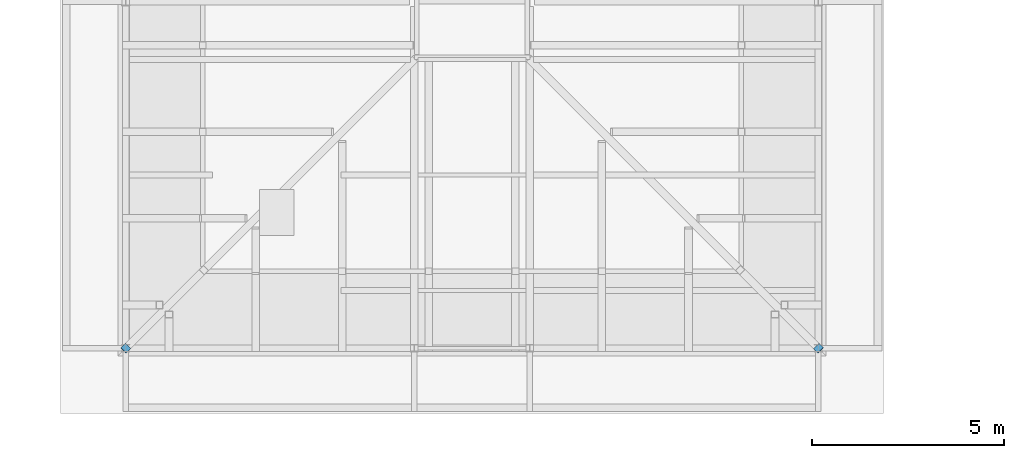
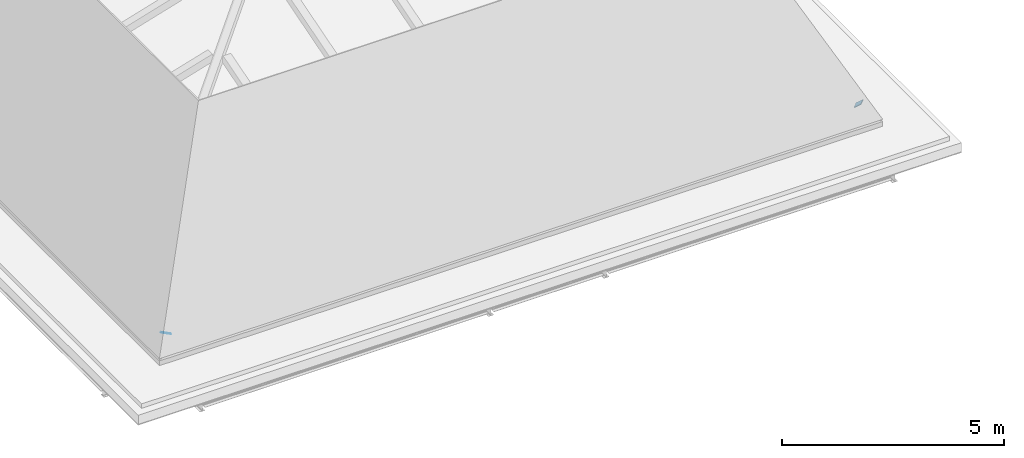
# One storey, part 22 of 29: 2 discrete accessories.
"""IFC4 building model written with IfcOpenShell, lengths in metres."""

from ifc_helpers import new_model, si_unit, direction, frame, origin, origin_2d, place, context, subcontext, project, spatial, rectangle, extrude, material, material_profile, profile_set, type_object, element, save


model = new_model("IFC4")

# Units and contexts
model_context = context("Model", 3, precision=1e-05, world=origin(), true_north=direction((0.0, 1.0)))
body_context = subcontext(model_context, "Body", "Model", "MODEL_VIEW")
ifc_project = project(units=[si_unit("LENGTHUNIT", "METRE"), si_unit("AREAUNIT", "SQUARE_METRE"), si_unit("VOLUMEUNIT", "CUBIC_METRE"), si_unit("PLANEANGLEUNIT", "RADIAN"), si_unit("MASSUNIT", "GRAM", prefix="KILO")], contexts=[model_context])

# Site, building, storey
site_placement = place(None, origin())
site = spatial("IfcSite", under=ifc_project, at=site_placement, CompositionType="ELEMENT")
building_placement = place(site_placement, origin())
building = spatial("IfcBuilding", under=site, at=building_placement, Name="Golden Quay Civic Hall", CompositionType="ELEMENT")
storey_placement = place(building_placement, frame((0.0, 0.0, 27.0)))
storey = spatial("IfcBuildingStorey", under=building, at=storey_placement, Name="L06", CompositionType="ELEMENT", Elevation=27.0)

# Discrete accessories
ifc_material = material(Name="Steel S355", Category="steel")
ifc_material_profile = material_profile(ifc_material, rectangle(XDim=0.199951171875, YDim=0.199951171875, at=origin_2d()), Name="Steel end cap plate 200x200x16")
ifc_profile_set = profile_set([ifc_material_profile], Name="Steel S355")
discrete_accessory_type = type_object("IfcDiscreteAccessoryType", Name="Steel end cap plate 200x200x16", PredefinedType="BRACKET", material=ifc_profile_set)
for number, where, z_axis, x_axis, name in (
    (1, (0.0, -9.0, 0.642578125), (-0.413335248502, -0.413335248502, -0.811361784096), (0.707106781187, -0.707106781187, 0.0), "End cap hip rafter WO-S south-west"),
    (2, (18.0, -9.0, 0.642578125), (0.413335248502, -0.413335248502, -0.811361784096), (0.707106781187, 0.707106781187, 0.0), "End cap hip rafter WO-S south-east"),
):
    element("IfcDiscreteAccessory", number, at=place(storey_placement, frame(where, z_axis=z_axis, x_axis=x_axis)), inside=storey, type_object=discrete_accessory_type, Name=name, PredefinedType="BRACKET", context=body_context, shape_type="SweptSolid", body=[
        extrude(rectangle(XDim=0.199951171875, YDim=0.199951171875, at=origin_2d()), origin(), (0.0, 0.0, 1.0), 0.015869140625),
    ])

save(model, "model.ifc")
